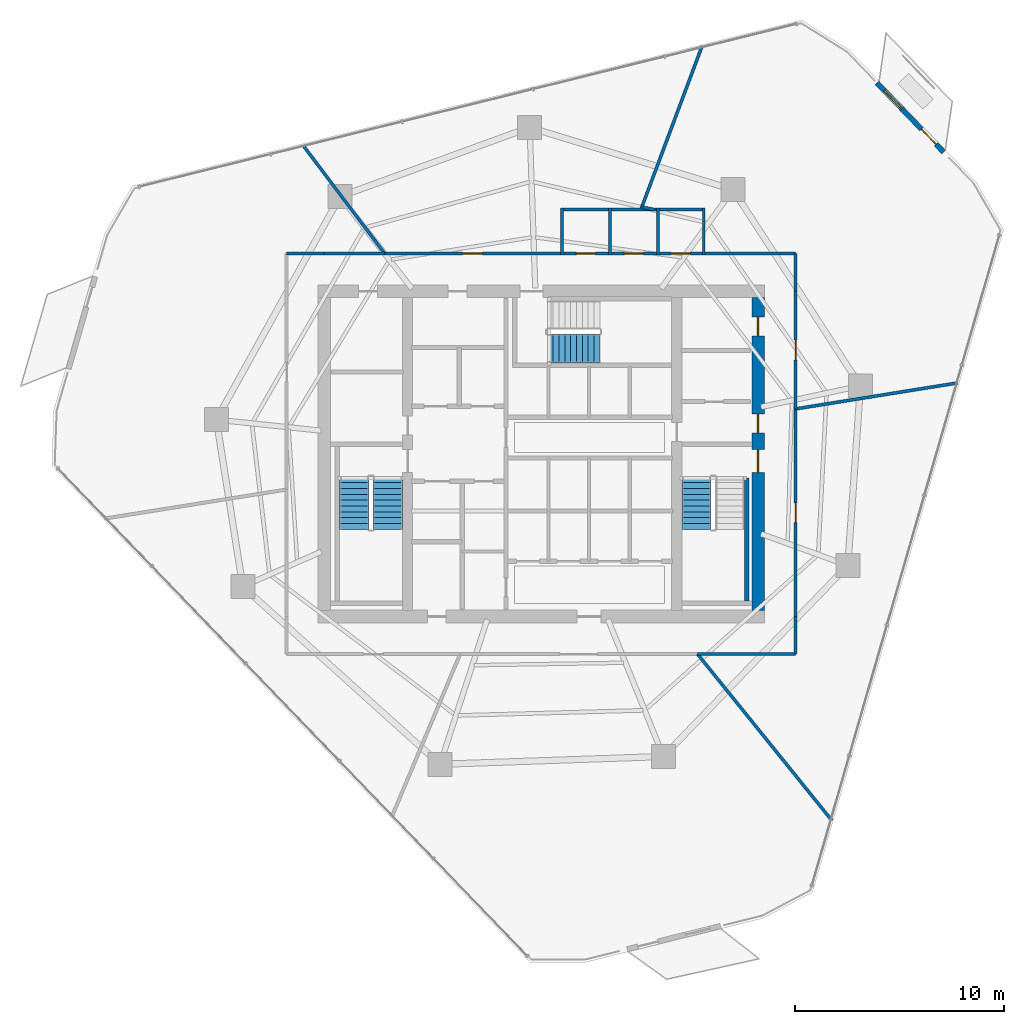
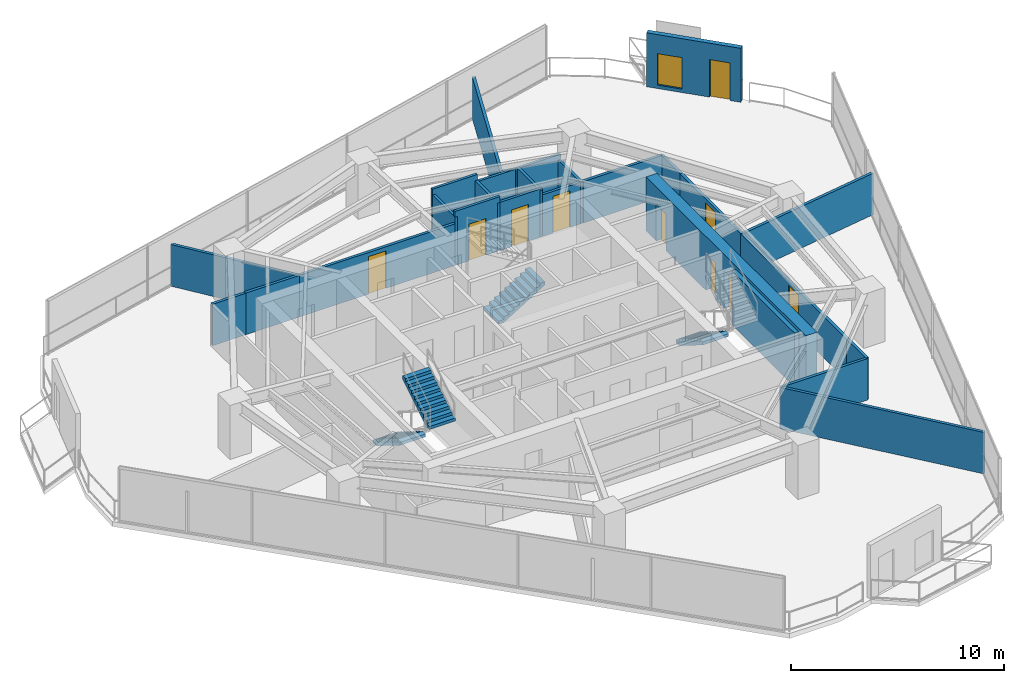
# One storey, part 20 of 23: 27 walls, 10 doors, 4 stair flights, 1 window, 11 openings, 3 elements without a shape of their own.
"""IFC4 building model written with IfcOpenShell, lengths in metres."""

import ifcopenshell
import ifcopenshell.guid

model = None  # the IFC model being written
_history = None  # IfcOwnerHistory: only IFC2X3 demands one
_inside = {}  # id of a spatial element -> (the spatial element, [elements in it])
_under = {}  # id of a project, library or spatial element -> (it, [spatial elements below it])
_declared = {}  # id of a project -> (the project, [libraries it declares])
_typed = {}  # id of a type object -> (the type object, [elements of that type])
_made_of = {}  # id of a material, layer set ... -> (it, [elements and type objects made of it])


def new_model(schema):
    """Start an empty IFC model of exactly this schema.

    Asked for "IFC4X3", IfcOpenShell would pick the latest addendum, in which some entities
    have other attributes; the version numbers below select the first issue.
    IFC2X3 requires an IfcOwnerHistory on every rooted entity: one is made here for all.
    """
    global model, _history
    if schema == "IFC4X3":
        model = ifcopenshell.file(schema_version=(4, 3, 0, 0))
    else:
        model = ifcopenshell.file(schema=schema)
    _inside.clear()
    _under.clear()
    _declared.clear()
    _typed.clear()
    _made_of.clear()
    _history = None
    if model.schema == "IFC2X3":
        org = make("IfcOrganization", Name="unknown")
        user = make(
            "IfcPersonAndOrganization",
            ThePerson=make("IfcPerson", FamilyName="unknown"),
            TheOrganization=org,
        )
        app = make(
            "IfcApplication",
            ApplicationDeveloper=org,
            Version="unknown",
            ApplicationFullName="unknown",
            ApplicationIdentifier="unknown",
        )
        _history = make(
            "IfcOwnerHistory",
            OwningUser=user,
            OwningApplication=app,
            ChangeAction="ADDED",
            CreationDate=0,
        )
    return model


def make(cls, **values):
    """One entity of the class cls with the attributes given. An attribute that is None is left unset."""
    return model.create_entity(
        cls, **{name: value for name, value in values.items() if value is not None}
    )


def rooted(cls, **values):
    """An entity with a GlobalId (a new one), such as an element, a storey or a relation."""
    return make(cls, GlobalId=ifcopenshell.guid.new(), OwnerHistory=_history, **values)


def si_unit(unit_type, name, prefix=None):
    """IfcSIUnit, for example si_unit("LENGTHUNIT", "METRE", prefix="MILLI")."""
    return make("IfcSIUnit", UnitType=unit_type, Prefix=prefix, Name=name)


def assignment(units):
    """IfcUnitAssignment: the units of a project."""
    return None if units is None else make("IfcUnitAssignment", Units=units)


def point(xyz):
    """IfcCartesianPoint."""
    return None if xyz is None else make("IfcCartesianPoint", Coordinates=xyz)


def direction(xyz):
    """IfcDirection."""
    return None if xyz is None else make("IfcDirection", DirectionRatios=xyz)


def frame(location, z_axis=None, x_axis=None):
    """IfcAxis2Placement3D, a coordinate frame: its origin and axes. An axis left out is left unset."""
    return make(
        "IfcAxis2Placement3D",
        Location=point(location),
        Axis=direction(z_axis),
        RefDirection=direction(x_axis),
    )


def frame_2d(location, x_axis=None):
    """IfcAxis2Placement2D, a coordinate frame in the plane: its origin and x axis."""
    return make(
        "IfcAxis2Placement2D", Location=point(location), RefDirection=direction(x_axis)
    )


def origin():
    """The frame at (0, 0, 0) with its axes left unset."""
    return frame((0.0, 0.0, 0.0))


def place(relative_to, where):
    """IfcLocalPlacement: puts the frame where relative to a parent placement (None: the world)."""
    return make(
        "IfcLocalPlacement", PlacementRelTo=relative_to, RelativePlacement=where
    )


def context(
    kind, dimensions, precision=None, world=None, true_north=None, identifier=None
):
    """IfcGeometricRepresentationContext, for example the 3D "Model" context."""
    return make(
        "IfcGeometricRepresentationContext",
        ContextIdentifier=identifier,
        ContextType=kind,
        CoordinateSpaceDimension=dimensions,
        Precision=precision,
        WorldCoordinateSystem=world,
        TrueNorth=true_north,
    )


def subcontext(parent, identifier, kind, view, scale=None):
    """IfcGeometricRepresentationSubContext, for example "Body" below "Model"."""
    return make(
        "IfcGeometricRepresentationSubContext",
        ContextIdentifier=identifier,
        ContextType=kind,
        ParentContext=parent,
        TargetScale=scale,
        TargetView=view,
    )


def project(units=None, contexts=None):
    """IfcProject with its units and contexts."""
    return rooted(
        "IfcProject",
        Name="project",
        RepresentationContexts=contexts,
        UnitsInContext=assignment(units),
    )


def spatial(cls, under=None, at=None, **own):
    """A site, building, storey or space (cls), placed at a placement, below another one or the project."""
    s = rooted(cls, ObjectPlacement=at, **own)
    if under is not None:
        _under.setdefault(under.id(), (under, []))[1].append(s)
    return s


def polyline(points):
    """IfcPolyline through the points."""
    return make("IfcPolyline", Points=[point(p) for p in points])


def profile(cls, at=None, kind="AREA", **sizes):
    """A parametric profile (cls). Its sizes go by their IFC names, for example OverallWidth=200.0."""
    return make(cls, ProfileType=kind, Position=at, **sizes)


def rectangle(**sizes):
    """IfcRectangleProfileDef."""
    return profile("IfcRectangleProfileDef", **sizes)


def outline(outer, holes=None, kind="AREA"):
    """IfcArbitraryClosedProfileDef: a profile drawn as a closed curve; with holes, ...WithVoids."""
    if holes is None:
        return make("IfcArbitraryClosedProfileDef", ProfileType=kind, OuterCurve=outer)
    return make(
        "IfcArbitraryProfileDefWithVoids",
        ProfileType=kind,
        OuterCurve=outer,
        InnerCurves=holes,
    )


def extrude(swept, where, along, depth):
    """IfcExtrudedAreaSolid: the profile swept, set in the frame where, extruded along a direction by depth."""
    return make(
        "IfcExtrudedAreaSolid",
        SweptArea=swept,
        Position=where,
        ExtrudedDirection=direction(along),
        Depth=depth,
    )


def shape(context_of_items, identifier, shape_type, items):
    """IfcShapeRepresentation: the items that make up one representation, for example the "Body"."""
    return make(
        "IfcShapeRepresentation",
        ContextOfItems=context_of_items,
        RepresentationIdentifier=identifier,
        RepresentationType=shape_type,
        Items=items,
    )


def material(Name=None, Category=None):
    """IfcMaterial."""
    return make("IfcMaterial", Name=Name, Category=Category)


def layer(
    of_material, thickness, ventilated=None, Name=None, Category=None, Priority=None
):
    """IfcMaterialLayer: one layer of a wall or slab, of a material (None: an air gap)."""
    return make(
        "IfcMaterialLayer",
        Material=of_material,
        LayerThickness=thickness,
        IsVentilated=ventilated,
        Name=Name,
        Category=Category,
        Priority=Priority,
    )


def layer_set(layers, Name=None):
    """IfcMaterialLayerSet."""
    return make("IfcMaterialLayerSet", MaterialLayers=layers, LayerSetName=Name)


def made_of(thing, what):
    """Note that an element or type object is made of a material, layer set ...; save() writes the relation."""
    if what is not None:
        _made_of.setdefault(what.id(), (what, []))[1].append(thing)
    return thing


def type_object(cls, material=None, **own):
    """A type object (cls), such as IfcWallType, which elements share."""
    return made_of(rooted(cls, **own), material)


def element(
    cls,
    number,
    at=None,
    inside=None,
    cuts=None,
    type_object=None,
    material=None,
    context=None,
    identifier="Body",
    shape_type=None,
    held_by="IfcProductDefinitionShape",
    body=None,
    shapes=None,
    **own,
):
    """One element of the class cls, such as IfcWall. Its Tag is "e" and its number.

    at: its placement. inside: the storey or other place that contains it. cuts: it is an
    opening in that element (IfcRelVoidsElement). A single representation is given by context,
    identifier, shape_type and body (its items); several are given by shapes. held_by: the class
    of the entity that holds the representations. save() writes the other relations.
    """
    e = rooted(cls, Tag="e%d" % number, ObjectPlacement=at, **own)
    if body is not None:
        shapes = [shape(context, identifier, shape_type, body)]
    if shapes is not None:
        e.Representation = make(held_by, Representations=shapes)
    if inside is not None:
        _inside.setdefault(inside.id(), (inside, []))[1].append(e)
    if cuts is not None:
        rooted(
            "IfcRelVoidsElement", RelatingBuildingElement=cuts, RelatedOpeningElement=e
        )
    if type_object is not None:
        _typed.setdefault(type_object.id(), (type_object, []))[1].append(e)
    return made_of(e, material)


def fill(opening, filler):
    """IfcRelFillsElement: the door or window that sits in an opening."""
    return rooted(
        "IfcRelFillsElement",
        RelatingOpeningElement=opening,
        RelatedBuildingElement=filler,
    )


def aggregate(whole, parts):
    """IfcRelAggregates: a whole, such as a stair, and the parts it consists of."""
    return rooted("IfcRelAggregates", RelatingObject=whole, RelatedObjects=parts)


def save(model, path):
    """Write the relations noted so far, then the file.

    IfcRelAggregates (storeys below a building ...), IfcRelContainedInSpatialStructure (elements
    in a storey), IfcRelDefinesByType, IfcRelAssociatesMaterial and IfcRelDeclares: one each for
    every whole, place, type object, material and project.
    """
    for whole, parts in _under.values():
        aggregate(whole, parts)
    for where, things in _inside.values():
        rooted(
            "IfcRelContainedInSpatialStructure",
            RelatedElements=things,
            RelatingStructure=where,
        )
    for kind, things in _typed.values():
        rooted("IfcRelDefinesByType", RelatedObjects=things, RelatingType=kind)
    for what, things in _made_of.values():
        rooted("IfcRelAssociatesMaterial", RelatedObjects=things, RelatingMaterial=what)
    for by, libraries in _declared.values():
        rooted("IfcRelDeclares", RelatingContext=by, RelatedDefinitions=libraries)
    model.write(path)


model = new_model("IFC4")

# Units and contexts
model_context = context("Model", 3, precision=1e-05, world=origin(), true_north=direction((0.0, 1.0)))
body_context = subcontext(model_context, "Body", "Model", "MODEL_VIEW")
ifc_project = project(units=[si_unit("LENGTHUNIT", "METRE"), si_unit("AREAUNIT", "SQUARE_METRE"), si_unit("VOLUMEUNIT", "CUBIC_METRE"), si_unit("PLANEANGLEUNIT", "RADIAN"), si_unit("MASSUNIT", "GRAM", prefix="KILO")], contexts=[model_context])

# Site, building, storey
site_placement = place(None, origin())
site = spatial("IfcSite", under=ifc_project, at=site_placement, CompositionType="ELEMENT")
building_placement = place(site_placement, origin())
building = spatial("IfcBuilding", under=site, at=building_placement, Name="Qarnah Convention Tower", CompositionType="ELEMENT")
storey_placement = place(building_placement, frame((0.0, 0.0, 117.75)))
storey = spatial("IfcBuildingStorey", under=building, at=storey_placement, Name="L31", CompositionType="ELEMENT", Elevation=117.75)

# Wall, openings, doors
ifc_material_1 = material(Name="Concrete C60/75", Category="concrete")
ifc_layer_1 = layer(ifc_material_1, 0.60009765625)
ifc_layer_set_1 = layer_set([ifc_layer_1], Name="Concrete C60/75")
wall_type_1 = type_object("IfcWallType", Name="WL-CORE-600", PredefinedType="SHEAR", material=ifc_layer_set_1)
wall_1_placement = place(storey_placement, frame((47.60009765625, 18.89990234375, 0.0), z_axis=(0.0, 0.0, 1.0), x_axis=(0.0, 1.0, 0.0)))
wall_1 = element("IfcWall", 1, at=wall_1_placement, inside=storey, type_object=wall_type_1, Name="L31 core east shear wall", PredefinedType="SHEAR", context=body_context, shape_type="SweptSolid", body=[
    extrude(rectangle(XDim=15.0, YDim=0.60009765625, at=frame_2d((7.5, 0.0))), origin(), (0.0, 0.0, 1.0), 3.090087890625),
])
opening_1_placement = place(wall_1_placement, frame((6.60009765625, 0.0, 0.0)))
opening_1 = element("IfcOpeningElement", 2, at=opening_1_placement, cuts=wall_1, Name="Opening D-3102", PredefinedType="OPENING", context=body_context, shape_type="SweptSolid", body=[
    extrude(rectangle(XDim=1.10009765625, YDim=2.14990234375, at=frame_2d((0.550048828125, 1.074951171875))), frame((0.0, 0.31005859375, 0.0), z_axis=(0.0, -1.0, 0.0), x_axis=(1.0, 0.0, 0.0)), (0.0, 0.0, 1.0), 0.6201171875),
])
opening_2_placement = place(wall_1_placement, frame((8.5, 0.0, 0.0)))
opening_2 = element("IfcOpeningElement", 3, at=opening_2_placement, cuts=wall_1, Name="Opening D-3106", PredefinedType="OPENING", context=body_context, shape_type="SweptSolid", body=[
    extrude(rectangle(XDim=0.89990234375, YDim=2.10009765625, at=frame_2d((0.449951171875, 1.050048828125))), frame((0.0, 0.31005859375, 0.0), z_axis=(0.0, -1.0, 0.0), x_axis=(1.0, 0.0, 0.0)), (0.0, 0.0, 1.0), 0.6201171875),
])
opening_3_placement = place(wall_1_placement, frame((13.14990234375, 0.0, 0.0)))
opening_3 = element("IfcOpeningElement", 4, at=opening_3_placement, cuts=wall_1, Name="Opening D-3112", PredefinedType="OPENING", context=body_context, shape_type="SweptSolid", body=[
    extrude(rectangle(XDim=0.89990234375, YDim=2.10009765625, at=frame_2d((0.449951171875, 1.050048828125))), frame((0.0, 0.31005859375, 0.0), z_axis=(0.0, -1.0, 0.0), x_axis=(1.0, 0.0, 0.0)), (0.0, 0.0, 1.0), 0.6201171875),
])
ifc_material_2 = material(Name="Structural steel S355JR", Category="steel")
door_type_1 = type_object("IfcDoorType", Name="DT-RISER-900", OperationType="NOTDEFINED", PredefinedType="DOOR", material=ifc_material_2)
door_1_placement = place(opening_2_placement, origin())
door_1 = element("IfcDoor", 5, at=door_1_placement, inside=storey, type_object=door_type_1, Name="Door D-3106", OperationType="SINGLE_SWING_RIGHT", OverallHeight=2.10009765625, OverallWidth=0.89990234375, PredefinedType="DOOR", context=body_context, shape_type="SweptSolid", body=[
    extrude(rectangle(XDim=0.89990234375, YDim=2.10009765625, at=frame_2d((0.449951171875, 1.050048828125))), frame((0.0, 0.02490234375, 0.0), z_axis=(0.0, -1.0, 0.0), x_axis=(1.0, 0.0, 0.0)), (0.0, 0.0, 1.0), 0.050048828125),
])
fill(opening_2, door_1)
door_2_placement = place(opening_3_placement, origin())
door_2 = element("IfcDoor", 6, at=door_2_placement, inside=storey, type_object=door_type_1, Name="Door D-3112", OperationType="SINGLE_SWING_RIGHT", OverallHeight=2.10009765625, OverallWidth=0.89990234375, PredefinedType="DOOR", context=body_context, shape_type="SweptSolid", body=[
    extrude(rectangle(XDim=0.89990234375, YDim=2.10009765625, at=frame_2d((0.449951171875, 1.050048828125))), frame((0.0, 0.02490234375, 0.0), z_axis=(0.0, -1.0, 0.0), x_axis=(1.0, 0.0, 0.0)), (0.0, 0.0, 1.0), 0.050048828125),
])
fill(opening_3, door_2)
door_type_2 = type_object("IfcDoorType", Name="DT-STAIR-1100", OperationType="NOTDEFINED", PredefinedType="DOOR", material=ifc_material_2)
door_3_placement = place(opening_1_placement, origin())
door_3 = element("IfcDoor", 7, at=door_3_placement, inside=storey, type_object=door_type_2, Name="Door D-3102", OperationType="SINGLE_SWING_RIGHT", OverallHeight=2.14990234375, OverallWidth=1.10009765625, PredefinedType="DOOR", context=body_context, shape_type="SweptSolid", body=[
    extrude(rectangle(XDim=1.10009765625, YDim=2.14990234375, at=frame_2d((0.550048828125, 1.074951171875))), frame((0.0, 0.02490234375, 0.0), z_axis=(0.0, -1.0, 0.0), x_axis=(1.0, 0.0, 0.0)), (0.0, 0.0, 1.0), 0.050048828125),
])
fill(opening_1, door_3)

# Wall
ifc_layer_2 = layer(ifc_material_1, 0.219970703125)
ifc_layer_set_2 = layer_set([ifc_layer_2], Name="Concrete C60/75")
wall_type_2 = type_object("IfcWallType", Name="WL-CORE-STAIR-220", PredefinedType="SHEAR", material=ifc_layer_set_2)
wall_2_placement = place(storey_placement, frame((47.06005859375, 19.35009765625, 0.0), z_axis=(0.0, 0.0, 1.0), x_axis=(0.0, 1.0, 0.0)))
element("IfcWall", 8, at=wall_2_placement, inside=storey, type_object=wall_type_2, Name="L31 stair shaft shear wall SW-L31-ST2E", PredefinedType="SHEAR", context=body_context, shape_type="SweptSolid", body=[
    extrude(rectangle(XDim=5.89990234375, YDim=0.219970703125, at=frame_2d((2.949951171875, 0.0))), origin(), (0.0, 0.0, 1.0), 3.090087890625),
])

# Wall, openings, door, window
ifc_material_3 = material(Name="Precast concrete C45/55", Category="concrete")
ifc_layer_3 = layer(ifc_material_3, 0.239990234375)
ifc_layer_set_3 = layer_set([ifc_layer_3], Name="Precast concrete C45/55")
wall_type_3 = type_object("IfcWallType", Name="WL-EXT-BAL-240", PredefinedType="SOLIDWALL", material=ifc_layer_set_3)
wall_3_placement = place(storey_placement, frame((53.301025390625, 44.175048828125, 0.0), z_axis=(0.0, 0.0, 1.0), x_axis=(0.693607012238, -0.720353602458, 0.0)))
wall_3 = element("IfcWall", 9, at=wall_3_placement, inside=storey, type_object=wall_type_3, Name="L31 loggia threshold wall BAL-L31-C1", PredefinedType="SOLIDWALL", context=body_context, shape_type="SweptSolid", body=[
    extrude(rectangle(XDim=4.6005859375, YDim=0.239990234375, at=frame_2d((2.30029296875, 0.0))), origin(), (0.0, 0.0, 1.0), 3.090087890625),
])
opening_4_placement = place(wall_3_placement, frame((3.0810546875, 0.0, 0.0)))
opening_4 = element("IfcOpeningElement", 10, at=opening_4_placement, cuts=wall_3, Name="Opening BD-3101", PredefinedType="OPENING", context=body_context, shape_type="SweptSolid", body=[
    extrude(rectangle(XDim=1.0, YDim=2.14990234375, at=frame_2d((0.5, 1.074951171875))), frame((0.0, 0.1298828125, 0.0), z_axis=(0.0, -1.0, 0.0), x_axis=(1.0, 0.0, 0.0)), (0.0, 0.0, 1.0), 0.260009765625),
])
opening_5_placement = place(wall_3_placement, frame((0.52001953125, 0.0, 0.199951171875)))
opening_5 = element("IfcOpeningElement", 11, at=opening_5_placement, cuts=wall_3, Name="Opening WN5", PredefinedType="OPENING", context=body_context, shape_type="SweptSolid", body=[
    extrude(rectangle(XDim=1.199951171875, YDim=1.800048828125, at=frame_2d((0.60009765625, 0.89990234375))), frame((0.0, 0.1298828125, 0.0), z_axis=(0.0, -1.0, 0.0), x_axis=(1.0, 0.0, 0.0)), (0.0, 0.0, 1.0), 0.260009765625),
])
ifc_material_4 = material(Name="Black anodised aluminium", Category="aluminium")
door_type_3 = type_object("IfcDoorType", Name="DT-BAL-1000", OperationType="NOTDEFINED", PredefinedType="DOOR", material=ifc_material_4)
door_4_placement = place(opening_4_placement, origin())
door_4 = element("IfcDoor", 12, at=door_4_placement, inside=storey, type_object=door_type_3, Name="L31 balcony terrace door BAL-L31-C1", OperationType="SINGLE_SWING_RIGHT", OverallHeight=2.14990234375, OverallWidth=1.0, PredefinedType="DOOR", context=body_context, shape_type="SweptSolid", body=[
    extrude(rectangle(XDim=1.0, YDim=2.14990234375, at=frame_2d((0.5, 1.074951171875))), frame((0.0, 0.02490234375, 0.0), z_axis=(0.0, -1.0, 0.0), x_axis=(1.0, 0.0, 0.0)), (0.0, 0.0, 1.0), 0.050048828125),
])
fill(opening_4, door_4)
ifc_material_5 = material(Name="Tempered Low-E dark glass", Category="glass")
window_type = type_object("IfcWindowType", Name="WT-BAL-1200X1800", PartitioningType="SINGLE_PANEL", PredefinedType="WINDOW", material=ifc_material_5)
window_placement = place(opening_5_placement, origin())
window = element("IfcWindow", 13, at=window_placement, inside=storey, type_object=window_type, Name="Window BW-BAL-L31-C1", OverallHeight=1.800048828125, OverallWidth=1.199951171875, PartitioningType="SINGLE_PANEL", PredefinedType="WINDOW", context=body_context, shape_type="SweptSolid", body=[
    extrude(rectangle(XDim=1.199951171875, YDim=1.800048828125, at=frame_2d((0.60009765625, 0.89990234375))), frame((0.0, 0.030029296875, 0.0), z_axis=(0.0, -1.0, 0.0), x_axis=(1.0, 0.0, 0.0)), (0.0, 0.0, 1.0), 0.06005859375),
])
fill(opening_5, window)

# Walls
ifc_material_6 = material(Name="Gypsum partition board")
ifc_layer_4 = layer(ifc_material_6, 0.14990234375)
ifc_layer_set_4 = layer_set([ifc_layer_4], Name="Gypsum partition board")
wall_type_4 = type_object("IfcWallType", Name="WL-SUITE-150", PredefinedType="PARTITIONING", material=ifc_layer_set_4)
wall_4_placement = place(storey_placement, frame((44.9189453125, 45.94189453125, 0.0), z_axis=(0.0, 0.0, 1.0), x_axis=(-0.350535422713, -0.936549474093, 0.0)))
element("IfcWall", 14, at=wall_4_placement, inside=storey, type_object=wall_type_4, Name="L31 interior wall IW-L31-R-11", PredefinedType="PARTITIONING", context=body_context, shape_type="SweptSolid", body=[
    extrude(rectangle(XDim=8.373046875, YDim=0.14990234375, at=frame_2d((4.1865234375, 0.0))), origin(), (0.0, 0.0, 1.0), 2.375),
])
wall_5_placement = place(storey_placement, frame((42.030029296875, 38.222900390625, 0.0), z_axis=(0.0, 0.0, 1.0), x_axis=(0.981520230149, -0.191358401459, 0.0)))
element("IfcWall", 15, at=wall_5_placement, inside=storey, type_object=wall_type_4, Name="L31 interior wall IW-L31-R-12", PredefinedType="PARTITIONING", context=body_context, shape_type="SweptSolid", body=[
    extrude(rectangle(XDim=0.641845703125, YDim=0.14990234375, at=frame_2d((0.32080078125, 0.0))), origin(), (0.0, 0.0, 1.0), 2.6669921875),
])
wall_6_placement = place(storey_placement, frame((45.070068359375, 36.0, 0.0), z_axis=(0.0, 0.0, 1.0), x_axis=(1.0, 0.0, 0.0)))
element("IfcWall", 16, at=wall_6_placement, inside=storey, type_object=wall_type_4, Name="L31 interior wall IW-L31-R-13", PredefinedType="PARTITIONING", context=body_context, shape_type="SweptSolid", body=[
    extrude(rectangle(XDim=4.329833984375, YDim=0.14990234375, at=frame_2d((2.1650390625, 0.0))), origin(), (0.0, 0.0, 1.0), 2.375),
])
wall_7_placement = place(storey_placement, frame((49.39990234375, 36.0, 0.0), z_axis=(0.0, 0.0, 1.0), x_axis=(0.0, -1.0, 0.0)))
element("IfcWall", 17, at=wall_7_placement, inside=storey, type_object=wall_type_4, Name="L31 interior wall IW-L31-R-14", PredefinedType="PARTITIONING", context=body_context, shape_type="SweptSolid", body=[
    extrude(rectangle(XDim=1.800048828125, YDim=0.14990234375, at=frame_2d((0.89990234375, 0.0))), origin(), (0.0, 0.0, 1.0), 2.375),
])

# Wall, opening, door
wall_8_placement = place(storey_placement, frame((49.39990234375, 34.199951171875, 0.0), z_axis=(0.0, 0.0, 1.0), x_axis=(0.0, -1.0, 0.0)))
wall_8 = element("IfcWall", 18, at=wall_8_placement, inside=storey, type_object=wall_type_4, Name="L31 interior wall IW-L31-R-15", PredefinedType="PARTITIONING", context=body_context, shape_type="SweptSolid", body=[
    extrude(rectangle(XDim=5.64892578125, YDim=0.14990234375, at=frame_2d((2.824462890625, 0.0))), origin(), (0.0, 0.0, 1.0), 2.375),
])
opening_6_placement = place(wall_8_placement, frame((2.35009765625, 0.0, 0.0)))
opening_6 = element("IfcOpeningElement", 19, at=opening_6_placement, cuts=wall_8, Name="Opening D-3119", PredefinedType="OPENING", context=body_context, shape_type="SweptSolid", body=[
    extrude(rectangle(XDim=0.949951171875, YDim=2.14990234375, at=frame_2d((0.47509765625, 1.074951171875))), frame((0.0, 0.0849609375, 0.0), z_axis=(0.0, -1.0, 0.0), x_axis=(1.0, 0.0, 0.0)), (0.0, 0.0, 1.0), 0.169921875),
])
ifc_material_7 = material(Name="Oak timber veneer", Category="wood")
door_type_4 = type_object("IfcDoorType", Name="DT-HOTEL-950", OperationType="NOTDEFINED", PredefinedType="DOOR", material=ifc_material_7)
door_5_placement = place(opening_6_placement, origin())
door_5 = element("IfcDoor", 20, at=door_5_placement, inside=storey, type_object=door_type_4, Name="Door D-3119", OperationType="SINGLE_SWING_LEFT", OverallHeight=2.14990234375, OverallWidth=0.949951171875, PredefinedType="DOOR", context=body_context, shape_type="SweptSolid", body=[
    extrude(rectangle(XDim=0.949951171875, YDim=2.14990234375, at=frame_2d((0.47509765625, 1.074951171875))), frame((0.0, 0.02490234375, 0.0), z_axis=(0.0, -1.0, 0.0), x_axis=(1.0, 0.0, 0.0)), (0.0, 0.0, 1.0), 0.050048828125),
])
fill(opening_6, door_5)

# Walls
wall_9_placement = place(storey_placement, frame((49.39990234375, 28.551025390625, 0.0), z_axis=(0.0, 0.0, 1.0), x_axis=(0.987395734104, 0.158270857307, 0.0)))
element("IfcWall", 21, at=wall_9_placement, inside=storey, type_object=wall_type_4, Name="L31 interior wall IW-L31-R-16", PredefinedType="PARTITIONING", context=body_context, shape_type="SweptSolid", body=[
    extrude(rectangle(XDim=7.87939453125, YDim=0.14990234375, at=frame_2d((3.939697265625, 0.0))), origin(), (0.0, 0.0, 1.0), 2.375),
])
wall_10_placement = place(storey_placement, frame((25.787109375, 41.193115234375, 0.0), z_axis=(0.0, 0.0, 1.0), x_axis=(0.601770760845, -0.798668862165, 0.0)))
element("IfcWall", 22, at=wall_10_placement, inside=storey, type_object=wall_type_4, Name="L31 interior wall IW-L31-R-17", PredefinedType="PARTITIONING", context=body_context, shape_type="SweptSolid", body=[
    extrude(rectangle(XDim=6.502197265625, YDim=0.14990234375, at=frame_2d((3.2509765625, 0.0))), origin(), (0.0, 0.0, 1.0), 2.386962890625),
])

# Wall, opening, door
wall_11_placement = place(storey_placement, frame((29.699951171875, 36.0, 0.0), z_axis=(0.0, 0.0, 1.0), x_axis=(1.0, 0.0, 0.0)))
wall_11 = element("IfcWall", 23, at=wall_11_placement, inside=storey, type_object=wall_type_4, Name="L31 interior wall IW-L31-R-18", PredefinedType="PARTITIONING", context=body_context, shape_type="SweptSolid", body=[
    extrude(rectangle(XDim=8.429931640625, YDim=0.14990234375, at=frame_2d((4.21484375, 0.0))), origin(), (0.0, 0.0, 1.0), 2.386962890625),
])
opening_7_placement = place(wall_11_placement, frame((3.739990234375, 0.0, 0.0)))
opening_7 = element("IfcOpeningElement", 24, at=opening_7_placement, cuts=wall_11, Name="Opening D-3120", PredefinedType="OPENING", context=body_context, shape_type="SweptSolid", body=[
    extrude(rectangle(XDim=0.949951171875, YDim=2.14990234375, at=frame_2d((0.47509765625, 1.074951171875))), frame((0.0, 0.0849609375, 0.0), z_axis=(0.0, -1.0, 0.0), x_axis=(1.0, 0.0, 0.0)), (0.0, 0.0, 1.0), 0.169921875),
])
door_6_placement = place(opening_7_placement, origin())
door_6 = element("IfcDoor", 25, at=door_6_placement, inside=storey, type_object=door_type_4, Name="Door D-3120", OperationType="SINGLE_SWING_RIGHT", OverallHeight=2.14990234375, OverallWidth=0.949951171875, PredefinedType="DOOR", context=body_context, shape_type="SweptSolid", body=[
    extrude(rectangle(XDim=0.949951171875, YDim=2.14990234375, at=frame_2d((0.47509765625, 1.074951171875))), frame((0.0, 0.02490234375, 0.0), z_axis=(0.0, -1.0, 0.0), x_axis=(1.0, 0.0, 0.0)), (0.0, 0.0, 1.0), 0.050048828125),
])
fill(opening_7, door_6)

# Walls
wall_12_placement = place(storey_placement, frame((25.0, 36.0, 0.0), z_axis=(0.0, 0.0, 1.0), x_axis=(1.0, 0.0, 0.0)))
element("IfcWall", 26, at=wall_12_placement, inside=storey, type_object=wall_type_4, Name="L31 interior wall IW-L31-R-21", PredefinedType="PARTITIONING", context=body_context, shape_type="SweptSolid", body=[
    extrude(rectangle(XDim=1.800048828125, YDim=0.14990234375, at=frame_2d((0.89990234375, 0.0))), origin(), (0.0, 0.0, 1.0), 2.375),
])
wall_13_placement = place(storey_placement, frame((26.800048828125, 36.0, 0.0), z_axis=(0.0, 0.0, 1.0), x_axis=(1.0, 0.0, 0.0)))
element("IfcWall", 27, at=wall_13_placement, inside=storey, type_object=wall_type_4, Name="L31 interior wall IW-L31-R-22", PredefinedType="PARTITIONING", context=body_context, shape_type="SweptSolid", body=[
    extrude(rectangle(XDim=2.89990234375, YDim=0.14990234375, at=frame_2d((1.449951171875, 0.0))), origin(), (0.0, 0.0, 1.0), 2.386962890625),
])
wall_14_placement = place(storey_placement, frame((51.14111328125, 8.822021484375, 0.0), z_axis=(0.0, 0.0, 1.0), x_axis=(-0.628181913261, 0.778066503489, 0.0)))
element("IfcWall", 28, at=wall_14_placement, inside=storey, type_object=wall_type_4, Name="L31 interior wall IW-L31-R-27", PredefinedType="PARTITIONING", context=body_context, shape_type="SweptSolid", body=[
    extrude(rectangle(XDim=10.253662109375, YDim=0.14990234375, at=frame_2d((5.126953125, 0.0))), origin(), (0.0, 0.0, 1.0), 2.375),
])

# Wall, opening, door
wall_15_placement = place(storey_placement, frame((49.39990234375, 28.551025390625, 0.0), z_axis=(0.0, 0.0, 1.0), x_axis=(0.0, -1.0, 0.0)))
wall_15 = element("IfcWall", 29, at=wall_15_placement, inside=storey, type_object=wall_type_4, Name="L31 interior wall IW-L31-R-29", PredefinedType="PARTITIONING", context=body_context, shape_type="SweptSolid", body=[
    extrude(rectangle(XDim=9.950927734375, YDim=0.14990234375, at=frame_2d((4.9755859375, 0.0))), origin(), (0.0, 0.0, 1.0), 2.375),
])
opening_8_placement = place(wall_15_placement, frame((4.5, 0.0, 0.0)))
opening_8 = element("IfcOpeningElement", 30, at=opening_8_placement, cuts=wall_15, Name="Opening D-3124", PredefinedType="OPENING", context=body_context, shape_type="SweptSolid", body=[
    extrude(rectangle(XDim=0.949951171875, YDim=2.14990234375, at=frame_2d((0.47509765625, 1.074951171875))), frame((0.0, 0.0849609375, 0.0), z_axis=(0.0, -1.0, 0.0), x_axis=(1.0, 0.0, 0.0)), (0.0, 0.0, 1.0), 0.169921875),
])
door_7_placement = place(opening_8_placement, origin())
door_7 = element("IfcDoor", 31, at=door_7_placement, inside=storey, type_object=door_type_4, Name="Door D-3124", OperationType="SINGLE_SWING_LEFT", OverallHeight=2.14990234375, OverallWidth=0.949951171875, PredefinedType="DOOR", context=body_context, shape_type="SweptSolid", body=[
    extrude(rectangle(XDim=0.949951171875, YDim=2.14990234375, at=frame_2d((0.47509765625, 1.074951171875))), frame((0.0, 0.02490234375, 0.0), z_axis=(0.0, -1.0, 0.0), x_axis=(1.0, 0.0, 0.0)), (0.0, 0.0, 1.0), 0.050048828125),
])
fill(opening_8, door_7)

# Walls
wall_16_placement = place(storey_placement, frame((49.39990234375, 18.60009765625, 0.0), z_axis=(0.0, 0.0, 1.0), x_axis=(0.0, -1.0, 0.0)))
element("IfcWall", 32, at=wall_16_placement, inside=storey, type_object=wall_type_4, Name="L31 interior wall IW-L31-R-30", PredefinedType="PARTITIONING", context=body_context, shape_type="SweptSolid", body=[
    extrude(rectangle(XDim=1.800048828125, YDim=0.14990234375, at=frame_2d((0.89990234375, 0.0))), origin(), (0.0, 0.0, 1.0), 2.375),
])
wall_17_placement = place(storey_placement, frame((49.39990234375, 16.800048828125, 0.0), z_axis=(0.0, 0.0, 1.0), x_axis=(-1.0, 0.0, 0.0)))
element("IfcWall", 33, at=wall_17_placement, inside=storey, type_object=wall_type_4, Name="L31 interior wall IW-L31-R-31", PredefinedType="PARTITIONING", context=body_context, shape_type="SweptSolid", body=[
    extrude(rectangle(XDim=4.699951171875, YDim=0.14990234375, at=frame_2d((2.35009765625, 0.0))), origin(), (0.0, 0.0, 1.0), 2.375),
])

# Wall, opening, door
ifc_layer_5 = layer(ifc_material_6, 0.139892578125)
ifc_layer_set_5 = layer_set([ifc_layer_5], Name="Gypsum partition board")
wall_type_5 = type_object("IfcWallType", Name="WL-WET-140", PredefinedType="PARTITIONING", material=ifc_layer_set_5)
wall_18_placement = place(storey_placement, frame((38.1298828125, 36.0, 0.0), z_axis=(0.0, 0.0, 1.0), x_axis=(1.0, 0.0, 0.0)))
wall_18 = element("IfcWall", 34, at=wall_18_placement, inside=storey, type_object=wall_type_5, Name="L31 interior wall IW-L31-WCM-1", PredefinedType="PARTITIONING", context=body_context, shape_type="SweptSolid", body=[
    extrude(rectangle(XDim=2.440185546875, YDim=0.139892578125, at=frame_2d((1.22021484375, 0.0))), origin(), (0.0, 0.0, 1.0), 3.090087890625),
])
opening_9_placement = place(wall_18_placement, frame((0.760009765625, 0.0, 0.0)))
opening_9 = element("IfcOpeningElement", 35, at=opening_9_placement, cuts=wall_18, Name="Opening D-3116", PredefinedType="OPENING", context=body_context, shape_type="SweptSolid", body=[
    extrude(rectangle(XDim=0.919921875, YDim=2.10009765625, at=frame_2d((0.4599609375, 1.050048828125))), frame((0.0, 0.079833984375, 0.0), z_axis=(0.0, -1.0, 0.0), x_axis=(1.0, 0.0, 0.0)), (0.0, 0.0, 1.0), 0.159912109375),
])
door_type_5 = type_object("IfcDoorType", Name="DT-WC-920", OperationType="NOTDEFINED", PredefinedType="DOOR", material=ifc_material_7)
door_8_placement = place(opening_9_placement, origin())
door_8 = element("IfcDoor", 36, at=door_8_placement, inside=storey, type_object=door_type_5, Name="Door D-3116", OperationType="SINGLE_SWING_RIGHT", OverallHeight=2.10009765625, OverallWidth=0.919921875, PredefinedType="DOOR", context=body_context, shape_type="SweptSolid", body=[
    extrude(rectangle(XDim=0.919921875, YDim=2.10009765625, at=frame_2d((0.4599609375, 1.050048828125))), frame((0.0, 0.02490234375, 0.0), z_axis=(0.0, -1.0, 0.0), x_axis=(1.0, 0.0, 0.0)), (0.0, 0.0, 1.0), 0.050048828125),
])
fill(opening_9, door_8)

# Walls
wall_19_placement = place(storey_placement, frame((40.5, 35.929931640625, 0.0), z_axis=(0.0, 0.0, 1.0), x_axis=(0.0, 1.0, 0.0)))
element("IfcWall", 37, at=wall_19_placement, inside=storey, type_object=wall_type_5, Name="L31 interior wall IW-L31-WCM-2", PredefinedType="PARTITIONING", context=body_context, shape_type="SweptSolid", body=[
    extrude(rectangle(XDim=2.239990234375, YDim=0.139892578125, at=frame_2d((1.1201171875, 0.0))), origin(), (0.0, 0.0, 1.0), 2.762939453125),
])
wall_20_placement = place(storey_placement, frame((40.570068359375, 38.10009765625, 0.0), z_axis=(0.0, 0.0, 1.0), x_axis=(-1.0, 0.0, 0.0)))
element("IfcWall", 38, at=wall_20_placement, inside=storey, type_object=wall_type_5, Name="L31 interior wall IW-L31-WCM-3", PredefinedType="PARTITIONING", context=body_context, shape_type="SweptSolid", body=[
    extrude(rectangle(XDim=2.440185546875, YDim=0.139892578125, at=frame_2d((1.22021484375, 0.0))), origin(), (0.0, 0.0, 1.0), 3.090087890625),
])
wall_21_placement = place(storey_placement, frame((38.199951171875, 38.169921875, 0.0), z_axis=(0.0, 0.0, 1.0), x_axis=(0.0, -1.0, 0.0)))
element("IfcWall", 39, at=wall_21_placement, inside=storey, type_object=wall_type_5, Name="L31 interior wall IW-L31-WCM-4", PredefinedType="PARTITIONING", context=body_context, shape_type="SweptSolid", body=[
    extrude(rectangle(XDim=2.239990234375, YDim=0.139892578125, at=frame_2d((1.1201171875, 0.0))), origin(), (0.0, 0.0, 1.0), 2.762939453125),
])

# Wall, opening, door
wall_22_placement = place(storey_placement, frame((40.429931640625, 36.0, 0.0), z_axis=(0.0, 0.0, 1.0), x_axis=(1.0, 0.0, 0.0)))
wall_22 = element("IfcWall", 40, at=wall_22_placement, inside=storey, type_object=wall_type_5, Name="L31 interior wall IW-L31-WCF-1", PredefinedType="PARTITIONING", context=body_context, shape_type="SweptSolid", body=[
    extrude(rectangle(XDim=2.440185546875, YDim=0.139892578125, at=frame_2d((1.22021484375, 0.0))), origin(), (0.0, 0.0, 1.0), 2.762939453125),
])
opening_10_placement = place(wall_22_placement, frame((0.760009765625, 0.0, 0.0)))
opening_10 = element("IfcOpeningElement", 41, at=opening_10_placement, cuts=wall_22, Name="Opening D-3117", PredefinedType="OPENING", context=body_context, shape_type="SweptSolid", body=[
    extrude(rectangle(XDim=0.919921875, YDim=2.10009765625, at=frame_2d((0.4599609375, 1.050048828125))), frame((0.0, 0.079833984375, 0.0), z_axis=(0.0, -1.0, 0.0), x_axis=(1.0, 0.0, 0.0)), (0.0, 0.0, 1.0), 0.159912109375),
])
door_9_placement = place(opening_10_placement, origin())
door_9 = element("IfcDoor", 42, at=door_9_placement, inside=storey, type_object=door_type_5, Name="Door D-3117", OperationType="SINGLE_SWING_LEFT", OverallHeight=2.10009765625, OverallWidth=0.919921875, PredefinedType="DOOR", context=body_context, shape_type="SweptSolid", body=[
    extrude(rectangle(XDim=0.919921875, YDim=2.10009765625, at=frame_2d((0.4599609375, 1.050048828125))), frame((0.0, 0.02490234375, 0.0), z_axis=(0.0, -1.0, 0.0), x_axis=(1.0, 0.0, 0.0)), (0.0, 0.0, 1.0), 0.050048828125),
])
fill(opening_10, door_9)

# Walls
wall_23_placement = place(storey_placement, frame((42.800048828125, 35.929931640625, 0.0), z_axis=(0.0, 0.0, 1.0), x_axis=(0.0, 1.0, 0.0)))
element("IfcWall", 43, at=wall_23_placement, inside=storey, type_object=wall_type_5, Name="L31 interior wall IW-L31-WCF-2", PredefinedType="PARTITIONING", context=body_context, shape_type="SweptSolid", body=[
    extrude(rectangle(XDim=2.239990234375, YDim=0.139892578125, at=frame_2d((1.1201171875, 0.0))), origin(), (0.0, 0.0, 1.0), 2.6669921875),
])
wall_24_placement = place(storey_placement, frame((42.8701171875, 38.10009765625, 0.0), z_axis=(0.0, 0.0, 1.0), x_axis=(-1.0, 0.0, 0.0)))
element("IfcWall", 44, at=wall_24_placement, inside=storey, type_object=wall_type_5, Name="L31 interior wall IW-L31-WCF-3", PredefinedType="PARTITIONING", context=body_context, shape_type="SweptSolid", body=[
    extrude(rectangle(XDim=2.440185546875, YDim=0.139892578125, at=frame_2d((1.22021484375, 0.0))), origin(), (0.0, 0.0, 1.0), 2.6669921875),
])

# Wall, opening, door
wall_25_placement = place(storey_placement, frame((42.72998046875, 36.0, 0.0), z_axis=(0.0, 0.0, 1.0), x_axis=(1.0, 0.0, 0.0)))
wall_25 = element("IfcWall", 45, at=wall_25_placement, inside=storey, type_object=wall_type_5, Name="L31 interior wall IW-L31-WCA-1", PredefinedType="PARTITIONING", context=body_context, shape_type="SweptSolid", body=[
    extrude(rectangle(XDim=2.340087890625, YDim=0.139892578125, at=frame_2d((1.169921875, 0.0))), origin(), (0.0, 0.0, 1.0), 2.386962890625),
])
opening_11_placement = place(wall_25_placement, frame((0.7099609375, 0.0, 0.0)))
opening_11 = element("IfcOpeningElement", 46, at=opening_11_placement, cuts=wall_25, Name="Opening D-3118", PredefinedType="OPENING", context=body_context, shape_type="SweptSolid", body=[
    extrude(rectangle(XDim=0.919921875, YDim=2.10009765625, at=frame_2d((0.4599609375, 1.050048828125))), frame((0.0, 0.079833984375, 0.0), z_axis=(0.0, -1.0, 0.0), x_axis=(1.0, 0.0, 0.0)), (0.0, 0.0, 1.0), 0.159912109375),
])
door_10_placement = place(opening_11_placement, origin())
door_10 = element("IfcDoor", 47, at=door_10_placement, inside=storey, type_object=door_type_5, Name="Door D-3118", OperationType="SINGLE_SWING_RIGHT", OverallHeight=2.10009765625, OverallWidth=0.919921875, PredefinedType="DOOR", context=body_context, shape_type="SweptSolid", body=[
    extrude(rectangle(XDim=0.919921875, YDim=2.10009765625, at=frame_2d((0.4599609375, 1.050048828125))), frame((0.0, 0.02490234375, 0.0), z_axis=(0.0, -1.0, 0.0), x_axis=(1.0, 0.0, 0.0)), (0.0, 0.0, 1.0), 0.050048828125),
])
fill(opening_11, door_10)

# Walls
wall_26_placement = place(storey_placement, frame((45.0, 35.929931640625, 0.0), z_axis=(0.0, 0.0, 1.0), x_axis=(0.0, 1.0, 0.0)))
element("IfcWall", 48, at=wall_26_placement, inside=storey, type_object=wall_type_5, Name="L31 interior wall IW-L31-WCA-2", PredefinedType="PARTITIONING", context=body_context, shape_type="SweptSolid", body=[
    extrude(rectangle(XDim=2.239990234375, YDim=0.139892578125, at=frame_2d((1.1201171875, 0.0))), origin(), (0.0, 0.0, 1.0), 2.386962890625),
])
wall_27_placement = place(storey_placement, frame((45.070068359375, 38.10009765625, 0.0), z_axis=(0.0, 0.0, 1.0), x_axis=(-1.0, 0.0, 0.0)))
element("IfcWall", 49, at=wall_27_placement, inside=storey, type_object=wall_type_5, Name="L31 interior wall IW-L31-WCA-3", PredefinedType="PARTITIONING", context=body_context, shape_type="SweptSolid", body=[
    extrude(rectangle(XDim=2.340087890625, YDim=0.139892578125, at=frame_2d((1.169921875, 0.0))), origin(), (0.0, 0.0, 1.0), 2.6669921875),
])

# Stair, stair flights
ifc_material_8 = material(Name="Concrete C50/60", Category="concrete")
stair_type = type_object("IfcStairType", Name="STR-HTL", PredefinedType="HALF_TURN_STAIR", material=ifc_material_8)
stair_1_placement = place(storey_placement, origin())
stair_1 = element("IfcStair", 50, at=stair_1_placement, inside=storey, type_object=stair_type, Name="L31 Core exit stair ST-1", PredefinedType="HALF_TURN_STAIR")
stair_flight_type = type_object("IfcStairFlightType", Name="FLT-HTL", PredefinedType="STRAIGHT", material=ifc_material_8)
stair_flight_1_placement = place(storey_placement, frame((28.25, 25.300048828125, 0.0), z_axis=(0.0, 0.0, 1.0), x_axis=(0.0, -1.0, 0.0)))
stair_flight_1 = element("IfcStairFlight", 51, at=stair_flight_1_placement, type_object=stair_flight_type, Name="ST-1 flight 1", NumberOfRisers=10, NumberOfTreads=9, PredefinedType="STRAIGHT", RiserHeight=0.1725, TreadLength=0.28, context=body_context, shape_type="SweptSolid", body=[
    extrude(outline(polyline([(0.0, 0.0), (0.0, 0.172607421875), (0.280029296875, 0.172607421875), (0.280029296875, 0.344970703125), (0.56005859375, 0.344970703125), (0.56005859375, 0.517578125), (0.840087890625, 0.517578125), (0.840087890625, 0.68994140625), (1.1201171875, 0.68994140625), (1.1201171875, 0.862548828125), (1.39990234375, 0.862548828125), (1.39990234375, 1.034912109375), (1.679931640625, 1.034912109375), (1.679931640625, 1.20751953125), (1.9599609375, 1.20751953125), (1.9599609375, 1.3798828125), (2.239990234375, 1.3798828125), (2.239990234375, 1.552490234375), (2.52001953125, 1.552490234375), (2.52001953125, 1.72509765625), (2.52001953125, 1.37646484375), (0.285888671875, 0.0), (0.0, 0.0)])), frame((0.0, 0.699951171875, 0.0), z_axis=(0.0, -1.0, 0.0), x_axis=(1.0, 0.0, 0.0)), (0.0, 0.0, 1.0), 1.39990234375),
])
stair_flight_2_placement = place(storey_placement, frame((29.85009765625, 22.780029296875, 1.72509765625), z_axis=(0.0, 0.0, 1.0), x_axis=(0.0, 1.0, 0.0)))
stair_flight_2 = element("IfcStairFlight", 52, at=stair_flight_2_placement, type_object=stair_flight_type, Name="ST-1 flight 2", NumberOfRisers=10, NumberOfTreads=9, PredefinedType="STRAIGHT", RiserHeight=0.1725, TreadLength=0.28, context=body_context, shape_type="SweptSolid", body=[
    extrude(outline(polyline([(0.0, 0.0), (0.0, 0.172607421875), (0.280029296875, 0.172607421875), (0.280029296875, 0.344970703125), (0.56005859375, 0.344970703125), (0.56005859375, 0.517578125), (0.840087890625, 0.517578125), (0.840087890625, 0.68994140625), (1.1201171875, 0.68994140625), (1.1201171875, 0.862548828125), (1.39990234375, 0.862548828125), (1.39990234375, 1.034912109375), (1.679931640625, 1.034912109375), (1.679931640625, 1.20751953125), (1.9599609375, 1.20751953125), (1.9599609375, 1.3798828125), (2.239990234375, 1.3798828125), (2.239990234375, 1.552490234375), (2.52001953125, 1.552490234375), (2.52001953125, 1.72509765625), (2.52001953125, 1.37646484375), (0.285888671875, 0.0), (0.0, 0.0)])), frame((0.0, 0.699951171875, 0.0), z_axis=(0.0, -1.0, 0.0), x_axis=(1.0, 0.0, 0.0)), (0.0, 0.0, 1.0), 1.39990234375),
])
aggregate(stair_1, [stair_flight_1, stair_flight_2])

# Stair, stair flight
stair_2_placement = place(storey_placement, origin())
stair_2 = element("IfcStair", 53, at=stair_2_placement, inside=storey, type_object=stair_type, Name="L31 Core exit stair ST-2", PredefinedType="HALF_TURN_STAIR")
stair_flight_3_placement = place(storey_placement, frame((44.64990234375, 25.300048828125, 0.0), z_axis=(0.0, 0.0, 1.0), x_axis=(0.0, -1.0, 0.0)))
stair_flight_3 = element("IfcStairFlight", 54, at=stair_flight_3_placement, type_object=stair_flight_type, Name="ST-2 flight 1", NumberOfRisers=10, NumberOfTreads=9, PredefinedType="STRAIGHT", RiserHeight=0.1725, TreadLength=0.28, context=body_context, shape_type="SweptSolid", body=[
    extrude(outline(polyline([(0.0, 0.0), (0.0, 0.172607421875), (0.280029296875, 0.172607421875), (0.280029296875, 0.344970703125), (0.56005859375, 0.344970703125), (0.56005859375, 0.517578125), (0.840087890625, 0.517578125), (0.840087890625, 0.68994140625), (1.1201171875, 0.68994140625), (1.1201171875, 0.862548828125), (1.39990234375, 0.862548828125), (1.39990234375, 1.034912109375), (1.679931640625, 1.034912109375), (1.679931640625, 1.20751953125), (1.9599609375, 1.20751953125), (1.9599609375, 1.3798828125), (2.239990234375, 1.3798828125), (2.239990234375, 1.552490234375), (2.52001953125, 1.552490234375), (2.52001953125, 1.72509765625), (2.52001953125, 1.37646484375), (0.285888671875, 0.0), (0.0, 0.0)])), frame((0.0, 0.699951171875, 0.0), z_axis=(0.0, -1.0, 0.0), x_axis=(1.0, 0.0, 0.0)), (0.0, 0.0, 1.0), 1.39990234375),
])
aggregate(stair_2, [stair_flight_3])

stair_3_placement = place(storey_placement, origin())
stair_3 = element("IfcStair", 55, at=stair_3_placement, inside=storey, type_object=stair_type, Name="L31 Core exit stair ST-3", PredefinedType="HALF_TURN_STAIR")
stair_flight_4_placement = place(storey_placement, frame((37.5, 31.449951171875, 0.0), z_axis=(0.0, 0.0, 1.0), x_axis=(1.0, 0.0, 0.0)))
stair_flight_4 = element("IfcStairFlight", 56, at=stair_flight_4_placement, type_object=stair_flight_type, Name="ST-3 flight 1", NumberOfRisers=10, NumberOfTreads=9, PredefinedType="STRAIGHT", RiserHeight=0.1725, TreadLength=0.28, context=body_context, shape_type="SweptSolid", body=[
    extrude(outline(polyline([(0.0, 0.0), (0.0, 0.172607421875), (0.280029296875, 0.172607421875), (0.280029296875, 0.344970703125), (0.56005859375, 0.344970703125), (0.56005859375, 0.517578125), (0.840087890625, 0.517578125), (0.840087890625, 0.68994140625), (1.1201171875, 0.68994140625), (1.1201171875, 0.862548828125), (1.39990234375, 0.862548828125), (1.39990234375, 1.034912109375), (1.679931640625, 1.034912109375), (1.679931640625, 1.20751953125), (1.9599609375, 1.20751953125), (1.9599609375, 1.3798828125), (2.239990234375, 1.3798828125), (2.239990234375, 1.552490234375), (2.52001953125, 1.552490234375), (2.52001953125, 1.72509765625), (2.52001953125, 1.37646484375), (0.285888671875, 0.0), (0.0, 0.0)])), frame((0.0, 0.699951171875, 0.0), z_axis=(0.0, -1.0, 0.0), x_axis=(1.0, 0.0, 0.0)), (0.0, 0.0, 1.0), 1.39990234375),
])
aggregate(stair_3, [stair_flight_4])

save(model, "model.ifc")
